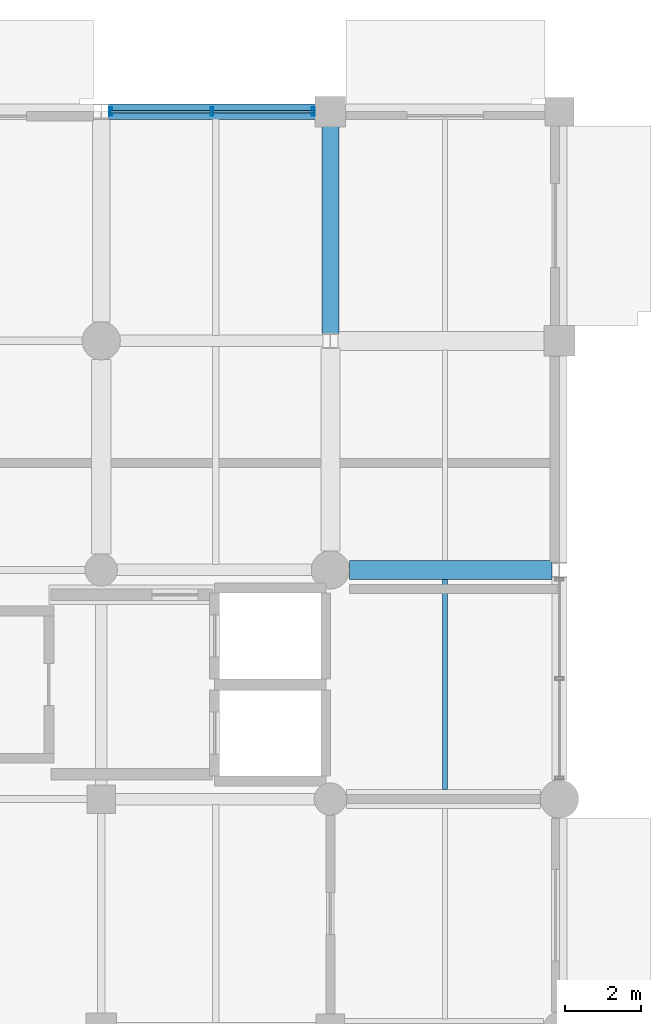
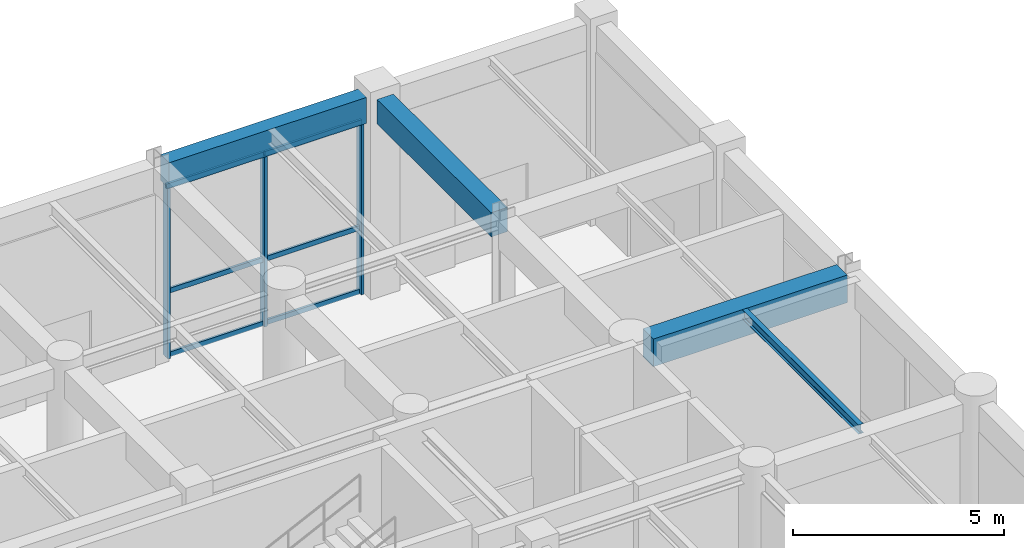
# One storey, part 70 of 106: 9 members, 4 beams, 1 element without a shape of its own.
"""IFC4 building model written with IfcOpenShell, lengths in metres."""

from ifc_helpers import new_model, si_unit, direction, frame, origin, origin_2d, place, context, subcontext, project, spatial, rectangle, hollow_rectangle, i_section, extrude, material, material_profile, profile_set, type_object, element, aggregate, save


model = new_model("IFC4")

# Units and contexts
model_context = context("Model", 3, precision=1e-05, world=origin(), true_north=direction((0.0, 1.0)))
body_context = subcontext(model_context, "Body", "Model", "MODEL_VIEW")
ifc_project = project(units=[si_unit("LENGTHUNIT", "METRE"), si_unit("AREAUNIT", "SQUARE_METRE"), si_unit("VOLUMEUNIT", "CUBIC_METRE"), si_unit("PLANEANGLEUNIT", "RADIAN"), si_unit("MASSUNIT", "GRAM", prefix="KILO"), si_unit("THERMODYNAMICTEMPERATUREUNIT", "KELVIN"), si_unit("POWERUNIT", "WATT")], contexts=[model_context])

# Site, building, storey
site_placement = place(None, origin())
site = spatial("IfcSite", under=ifc_project, at=site_placement, CompositionType="ELEMENT")
building_placement = place(site_placement, origin())
building = spatial("IfcBuilding", under=site, at=building_placement, Name="Phaisarnlok Congress Hotel", CompositionType="ELEMENT")
storey_placement = place(building_placement, origin())
storey = spatial("IfcBuildingStorey", under=building, at=storey_placement, Name="L00", CompositionType="ELEMENT", Elevation=0.0)

# Beams
ifc_material_1 = material(Name="Concrete C40/50", Category="concrete")
ifc_material_profile_1 = material_profile(ifc_material_1, rectangle(XDim=0.449951171875, YDim=0.699951171875, at=origin_2d()), Name="RC 450x700")
ifc_profile_set_1 = profile_set([ifc_material_profile_1], Name="Concrete C40/50")
beam_type_1 = type_object("IfcBeamType", Name="BM-RC-450x700", PredefinedType="BEAM", material=ifc_profile_set_1)
beam_1_placement = place(storey_placement, frame((174.0, 120.194580078125, 5.389892578125), z_axis=(0.0, 1.0, 0.0), x_axis=(-1.0, 0.0, 0.0)))
element("IfcBeam", 1, at=beam_1_placement, inside=storey, type_object=beam_type_1, Name="Beam B-03", PredefinedType="BEAM", context=body_context, shape_type="SweptSolid", body=[
    extrude(rectangle(XDim=0.449951171875, YDim=0.699951171875, at=origin_2d()), origin(), (0.0, 0.0, 1.0), 5.410400390625),
])
ifc_material_profile_2 = material_profile(ifc_material_1, rectangle(XDim=0.5, YDim=0.800048828125, at=origin_2d()), Name="RC 500x800")
ifc_profile_set_2 = profile_set([ifc_material_profile_2], Name="Concrete C40/50")
beam_type_2 = type_object("IfcBeamType", Name="BM-RC-500x800", PredefinedType="BEAM", material=ifc_profile_set_2)
beam_2_placement = place(storey_placement, frame((174.4951171875, 114.0, 5.340087890625), z_axis=(1.0, 0.0, 0.0), x_axis=(0.0, 1.0, 0.0)))
element("IfcBeam", 2, at=beam_2_placement, inside=storey, type_object=beam_type_2, Name="Beam B-04", PredefinedType="BEAM", context=body_context, shape_type="SweptSolid", body=[
    extrude(rectangle(XDim=0.5, YDim=0.800048828125, at=origin_2d()), origin(), (0.0, 0.0, 1.0), 5.309326171875),
])

# Curtain wall, members
ifc_material_2 = material(Name="Thermally Broken Unitised Aluminium & Low-E Glazing", Category="aluminium")
curtain_wall_type = type_object("IfcCurtainWallType", Name="CW-UNIT-04", PredefinedType="NOTDEFINED", material=ifc_material_2)
curtain_wall_placement = place(storey_placement, origin())
curtain_wall = element("IfcCurtainWall", 3, at=curtain_wall_placement, inside=storey, type_object=curtain_wall_type, Name="Unitised curtain wall CW-04 (L00)", PredefinedType="NOTDEFINED")
ifc_material_3 = material(Name="Anodised Aluminium Alloy 6063-T6", Category="aluminium")
ifc_material_profile_3 = material_profile(ifc_material_3, hollow_rectangle(XDim=0.074951171875, YDim=0.219970703125, WallThickness=0.0048828125, at=origin_2d()), Name="ALU-M 75x220x5")
ifc_profile_set_3 = profile_set([ifc_material_profile_3], Name="Anodised Aluminium Alloy 6063-T6")
member_type_1 = type_object("IfcMemberType", Name="CWM-220", PredefinedType="MULLION", material=ifc_profile_set_3)
member_1_placement = place(storey_placement, frame((173.550048828125, 126.0, 0.0), z_axis=(0.0, 0.0, 1.0), x_axis=(-1.0, 0.0, 0.0)))
member_1 = element("IfcMember", 4, at=member_1_placement, type_object=member_type_1, Name="Curtain wall mullion CWM-02", PredefinedType="MULLION", context=body_context, shape_type="SweptSolid", body=[
    extrude(hollow_rectangle(XDim=0.074951171875, YDim=0.219970703125, WallThickness=0.0048828125, at=origin_2d()), origin(), (0.0, 0.0, 1.0), 4.989990234375),
])
member_2_placement = place(storey_placement, frame((170.900146484375, 126.0, 0.0), z_axis=(0.0, 0.0, 1.0), x_axis=(-1.0, 0.0, 0.0)))
member_2 = element("IfcMember", 5, at=member_2_placement, type_object=member_type_1, Name="Curtain wall mullion CWM-02", PredefinedType="MULLION", context=body_context, shape_type="SweptSolid", body=[
    extrude(hollow_rectangle(XDim=0.074951171875, YDim=0.219970703125, WallThickness=0.0048828125, at=origin_2d()), origin(), (0.0, 0.0, 1.0), 4.989990234375),
])
member_3_placement = place(storey_placement, frame((168.25048828125, 126.0, 0.0), z_axis=(0.0, 0.0, 1.0), x_axis=(-1.0, 0.0, 0.0)))
member_3 = element("IfcMember", 6, at=member_3_placement, type_object=member_type_1, Name="Curtain wall mullion CWM-02", PredefinedType="MULLION", context=body_context, shape_type="SweptSolid", body=[
    extrude(hollow_rectangle(XDim=0.074951171875, YDim=0.219970703125, WallThickness=0.0048828125, at=origin_2d()), origin(), (0.0, 0.0, 1.0), 4.989990234375),
])
ifc_material_profile_4 = material_profile(ifc_material_3, hollow_rectangle(XDim=0.06494140625, YDim=0.139892578125, WallThickness=0.00390625, at=origin_2d()), Name="ALU-T 65x140x4")
ifc_profile_set_4 = profile_set([ifc_material_profile_4], Name="Anodised Aluminium Alloy 6063-T6")
member_type_2 = type_object("IfcMemberType", Name="CWT-150", PredefinedType="USERDEFINED", material=ifc_profile_set_4)
member_4_placement = place(storey_placement, frame((173.574951171875, 126.0, 0.050048828125), z_axis=(-1.0, 0.0, 0.0), x_axis=(0.0, -1.0, 0.0)))
member_4 = element("IfcMember", 7, at=member_4_placement, type_object=member_type_2, Name="Curtain wall transom CWT-01", ObjectType="TRANSOM", PredefinedType="USERDEFINED", context=body_context, shape_type="SweptSolid", body=[
    extrude(hollow_rectangle(XDim=0.06494140625, YDim=0.139892578125, WallThickness=0.00390625, at=origin_2d()), origin(), (0.0, 0.0, 1.0), 2.65966796875),
])
member_5_placement = place(storey_placement, frame((173.574951171875, 126.0, 1.896240234375), z_axis=(-1.0, 0.0, 0.0), x_axis=(0.0, -1.0, 0.0)))
member_5 = element("IfcMember", 8, at=member_5_placement, type_object=member_type_2, Name="Curtain wall transom CWT-01", ObjectType="TRANSOM", PredefinedType="USERDEFINED", context=body_context, shape_type="SweptSolid", body=[
    extrude(hollow_rectangle(XDim=0.06494140625, YDim=0.139892578125, WallThickness=0.00390625, at=origin_2d()), origin(), (0.0, 0.0, 1.0), 2.65966796875),
])
member_6_placement = place(storey_placement, frame((173.574951171875, 126.0, 4.93994140625), z_axis=(-1.0, 0.0, 0.0), x_axis=(0.0, -1.0, 0.0)))
member_6 = element("IfcMember", 9, at=member_6_placement, type_object=member_type_2, Name="Curtain wall transom CWT-01", ObjectType="TRANSOM", PredefinedType="USERDEFINED", context=body_context, shape_type="SweptSolid", body=[
    extrude(hollow_rectangle(XDim=0.06494140625, YDim=0.139892578125, WallThickness=0.00390625, at=origin_2d()), origin(), (0.0, 0.0, 1.0), 2.65966796875),
])
member_7_placement = place(storey_placement, frame((170.88525390625, 126.0, 0.050048828125), z_axis=(-1.0, 0.0, 0.0), x_axis=(0.0, -1.0, 0.0)))
member_7 = element("IfcMember", 10, at=member_7_placement, type_object=member_type_2, Name="Curtain wall transom CWT-01", ObjectType="TRANSOM", PredefinedType="USERDEFINED", context=body_context, shape_type="SweptSolid", body=[
    extrude(hollow_rectangle(XDim=0.06494140625, YDim=0.139892578125, WallThickness=0.00390625, at=origin_2d()), origin(), (0.0, 0.0, 1.0), 2.65966796875),
])
member_8_placement = place(storey_placement, frame((170.88525390625, 126.0, 1.896240234375), z_axis=(-1.0, 0.0, 0.0), x_axis=(0.0, -1.0, 0.0)))
member_8 = element("IfcMember", 11, at=member_8_placement, type_object=member_type_2, Name="Curtain wall transom CWT-01", ObjectType="TRANSOM", PredefinedType="USERDEFINED", context=body_context, shape_type="SweptSolid", body=[
    extrude(hollow_rectangle(XDim=0.06494140625, YDim=0.139892578125, WallThickness=0.00390625, at=origin_2d()), origin(), (0.0, 0.0, 1.0), 2.65966796875),
])
member_9_placement = place(storey_placement, frame((170.88525390625, 126.0, 4.93994140625), z_axis=(-1.0, 0.0, 0.0), x_axis=(0.0, -1.0, 0.0)))
member_9 = element("IfcMember", 12, at=member_9_placement, type_object=member_type_2, Name="Curtain wall transom CWT-01", ObjectType="TRANSOM", PredefinedType="USERDEFINED", context=body_context, shape_type="SweptSolid", body=[
    extrude(hollow_rectangle(XDim=0.06494140625, YDim=0.139892578125, WallThickness=0.00390625, at=origin_2d()), origin(), (0.0, 0.0, 1.0), 2.65966796875),
])
aggregate(curtain_wall, [member_1, member_2, member_3, member_4, member_5, member_6, member_7, member_8, member_9])

# Beams
ifc_material_4 = material(Name="Steel S355", Category="steel")
ifc_material_profile_5 = material_profile(ifc_material_4, i_section(OverallWidth=0.135009765625, OverallDepth=0.27001953125, WebThickness=0.006591796875, FlangeThickness=0.01025390625, FilletRadius=0.014892578125, at=origin_2d()), Name="IPE 270")
ifc_profile_set_5 = profile_set([ifc_material_profile_5], Name="Steel S355")
beam_type_3 = type_object("IfcBeamType", Name="JS-STL-IPE270", PredefinedType="JOIST", material=ifc_profile_set_5)
beam_3_placement = place(storey_placement, frame((177.0, 108.2451171875, 5.60498046875), z_axis=(0.0, 1.0, 0.0), x_axis=(-1.0, 0.0, 0.0)))
element("IfcBeam", 13, at=beam_3_placement, inside=storey, type_object=beam_type_3, Name="Secondary floor joist J-02", PredefinedType="JOIST", context=body_context, shape_type="SweptSolid", body=[
    extrude(i_section(OverallWidth=0.135009765625, OverallDepth=0.27001953125, WebThickness=0.006591796875, FlangeThickness=0.01025390625, FilletRadius=0.014892578125, at=origin_2d()), origin(), (0.0, 0.0, 1.0), 5.509765625),
])
ifc_material_profile_6 = material_profile(ifc_material_1, rectangle(XDim=0.39990234375, YDim=0.75, at=origin_2d()), Name="RC 400x750")
ifc_profile_set_6 = profile_set([ifc_material_profile_6], Name="Concrete C40/50")
beam_type_4 = type_object("IfcBeamType", Name="SP-RC-400x750", PredefinedType="SPANDREL", material=ifc_profile_set_6)
beam_4_placement = place(storey_placement, frame((168.195556640625, 126.0, 5.364990234375), z_axis=(1.0, 0.0, 0.0), x_axis=(0.0, 1.0, 0.0)))
element("IfcBeam", 14, at=beam_4_placement, inside=storey, type_object=beam_type_4, Name="Beam SP-02", PredefinedType="SPANDREL", context=body_context, shape_type="SweptSolid", body=[
    extrude(rectangle(XDim=0.39990234375, YDim=0.75, at=origin_2d()), origin(), (0.0, 0.0, 1.0), 5.409423828125),
])

save(model, "model.ifc")
